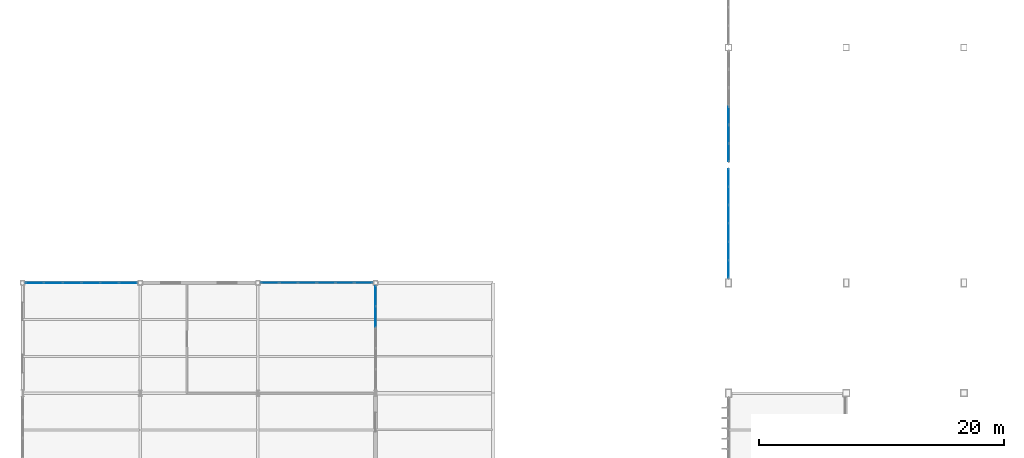
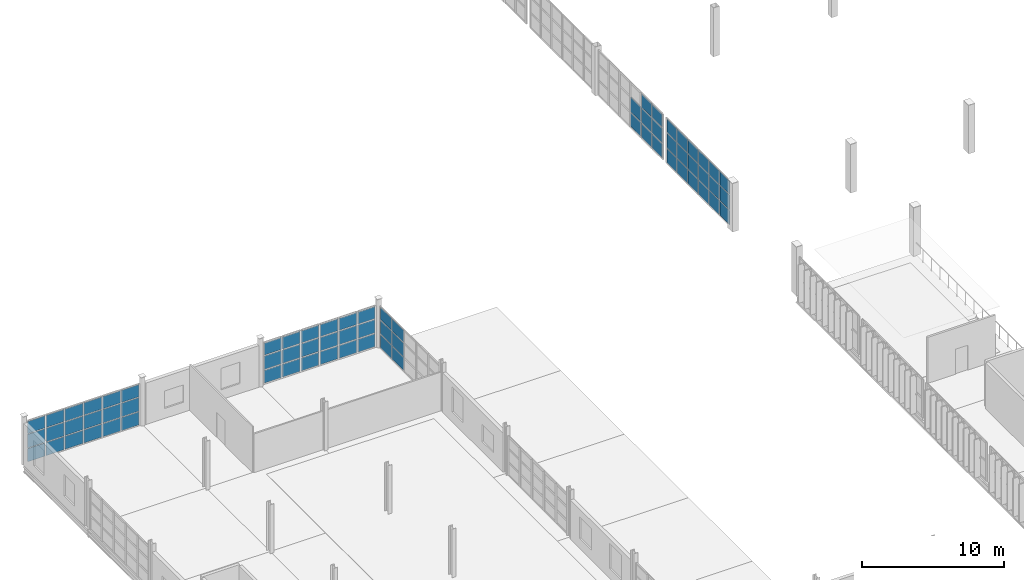
# One storey, part 54 of 82: 68 plates, 5 elements without a shape of their own.
"""IFC4 building model written with IfcOpenShell, lengths in metres."""

import ifcopenshell
import ifcopenshell.guid

model = None  # the IFC model being written
_history = None  # IfcOwnerHistory: only IFC2X3 demands one
_inside = {}  # id of a spatial element -> (the spatial element, [elements in it])
_under = {}  # id of a project, library or spatial element -> (it, [spatial elements below it])
_declared = {}  # id of a project -> (the project, [libraries it declares])
_typed = {}  # id of a type object -> (the type object, [elements of that type])
_made_of = {}  # id of a material, layer set ... -> (it, [elements and type objects made of it])


def new_model(schema):
    """Start an empty IFC model of exactly this schema.

    Asked for "IFC4X3", IfcOpenShell would pick the latest addendum, in which some entities
    have other attributes; the version numbers below select the first issue.
    IFC2X3 requires an IfcOwnerHistory on every rooted entity: one is made here for all.
    """
    global model, _history
    if schema == "IFC4X3":
        model = ifcopenshell.file(schema_version=(4, 3, 0, 0))
    else:
        model = ifcopenshell.file(schema=schema)
    _inside.clear()
    _under.clear()
    _declared.clear()
    _typed.clear()
    _made_of.clear()
    _history = None
    if model.schema == "IFC2X3":
        org = make("IfcOrganization", Name="unknown")
        user = make(
            "IfcPersonAndOrganization",
            ThePerson=make("IfcPerson", FamilyName="unknown"),
            TheOrganization=org,
        )
        app = make(
            "IfcApplication",
            ApplicationDeveloper=org,
            Version="unknown",
            ApplicationFullName="unknown",
            ApplicationIdentifier="unknown",
        )
        _history = make(
            "IfcOwnerHistory",
            OwningUser=user,
            OwningApplication=app,
            ChangeAction="ADDED",
            CreationDate=0,
        )
    return model


def make(cls, **values):
    """One entity of the class cls with the attributes given. An attribute that is None is left unset."""
    return model.create_entity(
        cls, **{name: value for name, value in values.items() if value is not None}
    )


def rooted(cls, **values):
    """An entity with a GlobalId (a new one), such as an element, a storey or a relation."""
    return make(cls, GlobalId=ifcopenshell.guid.new(), OwnerHistory=_history, **values)


def si_unit(unit_type, name, prefix=None):
    """IfcSIUnit, for example si_unit("LENGTHUNIT", "METRE", prefix="MILLI")."""
    return make("IfcSIUnit", UnitType=unit_type, Prefix=prefix, Name=name)


def assignment(units):
    """IfcUnitAssignment: the units of a project."""
    return None if units is None else make("IfcUnitAssignment", Units=units)


def point(xyz):
    """IfcCartesianPoint."""
    return None if xyz is None else make("IfcCartesianPoint", Coordinates=xyz)


def direction(xyz):
    """IfcDirection."""
    return None if xyz is None else make("IfcDirection", DirectionRatios=xyz)


def frame(location, z_axis=None, x_axis=None):
    """IfcAxis2Placement3D, a coordinate frame: its origin and axes. An axis left out is left unset."""
    return make(
        "IfcAxis2Placement3D",
        Location=point(location),
        Axis=direction(z_axis),
        RefDirection=direction(x_axis),
    )


def frame_2d(location, x_axis=None):
    """IfcAxis2Placement2D, a coordinate frame in the plane: its origin and x axis."""
    return make(
        "IfcAxis2Placement2D", Location=point(location), RefDirection=direction(x_axis)
    )


def origin():
    """The frame at (0, 0, 0) with its axes left unset."""
    return frame((0.0, 0.0, 0.0))


def origin_2d():
    """The frame at (0, 0) in the plane with its x axis left unset."""
    return frame_2d((0.0, 0.0))


def place(relative_to, where):
    """IfcLocalPlacement: puts the frame where relative to a parent placement (None: the world)."""
    return make(
        "IfcLocalPlacement", PlacementRelTo=relative_to, RelativePlacement=where
    )


def context(
    kind, dimensions, precision=None, world=None, true_north=None, identifier=None
):
    """IfcGeometricRepresentationContext, for example the 3D "Model" context."""
    return make(
        "IfcGeometricRepresentationContext",
        ContextIdentifier=identifier,
        ContextType=kind,
        CoordinateSpaceDimension=dimensions,
        Precision=precision,
        WorldCoordinateSystem=world,
        TrueNorth=true_north,
    )


def subcontext(parent, identifier, kind, view, scale=None):
    """IfcGeometricRepresentationSubContext, for example "Body" below "Model"."""
    return make(
        "IfcGeometricRepresentationSubContext",
        ContextIdentifier=identifier,
        ContextType=kind,
        ParentContext=parent,
        TargetScale=scale,
        TargetView=view,
    )


def project(units=None, contexts=None):
    """IfcProject with its units and contexts."""
    return rooted(
        "IfcProject",
        Name="project",
        RepresentationContexts=contexts,
        UnitsInContext=assignment(units),
    )


def spatial(cls, under=None, at=None, **own):
    """A site, building, storey or space (cls), placed at a placement, below another one or the project."""
    s = rooted(cls, ObjectPlacement=at, **own)
    if under is not None:
        _under.setdefault(under.id(), (under, []))[1].append(s)
    return s


def profile(cls, at=None, kind="AREA", **sizes):
    """A parametric profile (cls). Its sizes go by their IFC names, for example OverallWidth=200.0."""
    return make(cls, ProfileType=kind, Position=at, **sizes)


def rectangle(**sizes):
    """IfcRectangleProfileDef."""
    return profile("IfcRectangleProfileDef", **sizes)


def extrude(swept, where, along, depth):
    """IfcExtrudedAreaSolid: the profile swept, set in the frame where, extruded along a direction by depth."""
    return make(
        "IfcExtrudedAreaSolid",
        SweptArea=swept,
        Position=where,
        ExtrudedDirection=direction(along),
        Depth=depth,
    )


def shape(context_of_items, identifier, shape_type, items):
    """IfcShapeRepresentation: the items that make up one representation, for example the "Body"."""
    return make(
        "IfcShapeRepresentation",
        ContextOfItems=context_of_items,
        RepresentationIdentifier=identifier,
        RepresentationType=shape_type,
        Items=items,
    )


def material(Name=None, Category=None):
    """IfcMaterial."""
    return make("IfcMaterial", Name=Name, Category=Category)


def layer(
    of_material, thickness, ventilated=None, Name=None, Category=None, Priority=None
):
    """IfcMaterialLayer: one layer of a wall or slab, of a material (None: an air gap)."""
    return make(
        "IfcMaterialLayer",
        Material=of_material,
        LayerThickness=thickness,
        IsVentilated=ventilated,
        Name=Name,
        Category=Category,
        Priority=Priority,
    )


def layer_set(layers, Name=None):
    """IfcMaterialLayerSet."""
    return make("IfcMaterialLayerSet", MaterialLayers=layers, LayerSetName=Name)


def made_of(thing, what):
    """Note that an element or type object is made of a material, layer set ...; save() writes the relation."""
    if what is not None:
        _made_of.setdefault(what.id(), (what, []))[1].append(thing)
    return thing


def type_object(cls, material=None, **own):
    """A type object (cls), such as IfcWallType, which elements share."""
    return made_of(rooted(cls, **own), material)


def element(
    cls,
    number,
    at=None,
    inside=None,
    cuts=None,
    type_object=None,
    material=None,
    context=None,
    identifier="Body",
    shape_type=None,
    held_by="IfcProductDefinitionShape",
    body=None,
    shapes=None,
    **own,
):
    """One element of the class cls, such as IfcWall. Its Tag is "e" and its number.

    at: its placement. inside: the storey or other place that contains it. cuts: it is an
    opening in that element (IfcRelVoidsElement). A single representation is given by context,
    identifier, shape_type and body (its items); several are given by shapes. held_by: the class
    of the entity that holds the representations. save() writes the other relations.
    """
    e = rooted(cls, Tag="e%d" % number, ObjectPlacement=at, **own)
    if body is not None:
        shapes = [shape(context, identifier, shape_type, body)]
    if shapes is not None:
        e.Representation = make(held_by, Representations=shapes)
    if inside is not None:
        _inside.setdefault(inside.id(), (inside, []))[1].append(e)
    if cuts is not None:
        rooted(
            "IfcRelVoidsElement", RelatingBuildingElement=cuts, RelatedOpeningElement=e
        )
    if type_object is not None:
        _typed.setdefault(type_object.id(), (type_object, []))[1].append(e)
    return made_of(e, material)


def aggregate(whole, parts):
    """IfcRelAggregates: a whole, such as a stair, and the parts it consists of."""
    return rooted("IfcRelAggregates", RelatingObject=whole, RelatedObjects=parts)


def save(model, path):
    """Write the relations noted so far, then the file.

    IfcRelAggregates (storeys below a building ...), IfcRelContainedInSpatialStructure (elements
    in a storey), IfcRelDefinesByType, IfcRelAssociatesMaterial and IfcRelDeclares: one each for
    every whole, place, type object, material and project.
    """
    for whole, parts in _under.values():
        aggregate(whole, parts)
    for where, things in _inside.values():
        rooted(
            "IfcRelContainedInSpatialStructure",
            RelatedElements=things,
            RelatingStructure=where,
        )
    for kind, things in _typed.values():
        rooted("IfcRelDefinesByType", RelatedObjects=things, RelatingType=kind)
    for what, things in _made_of.values():
        rooted("IfcRelAssociatesMaterial", RelatedObjects=things, RelatingMaterial=what)
    for by, libraries in _declared.values():
        rooted("IfcRelDeclares", RelatingContext=by, RelatedDefinitions=libraries)
    model.write(path)


model = new_model("IFC4")

# Units and contexts
model_context = context("Model", 3, precision=1e-05, world=origin(), true_north=direction((0.0, 1.0)))
body_context = subcontext(model_context, "Body", "Model", "MODEL_VIEW")
ifc_project = project(units=[si_unit("LENGTHUNIT", "METRE"), si_unit("AREAUNIT", "SQUARE_METRE"), si_unit("VOLUMEUNIT", "CUBIC_METRE"), si_unit("PLANEANGLEUNIT", "RADIAN"), si_unit("MASSUNIT", "GRAM", prefix="KILO")], contexts=[model_context])

# Site, building, storey
site_placement = place(None, origin())
site = spatial("IfcSite", under=ifc_project, at=site_placement, CompositionType="ELEMENT")
building_placement = place(site_placement, origin())
building = spatial("IfcBuilding", under=site, at=building_placement, Name="Zarnetskaya Central Station", CompositionType="ELEMENT")
storey_placement = place(building_placement, frame((0.0, 0.0, 10.199951171875)))
storey = spatial("IfcBuildingStorey", under=building, at=storey_placement, Name="L02", CompositionType="ELEMENT", Elevation=10.199951171875)

# Curtain wall, plates
ifc_material = material(Name="Low-E insulated glass", Category="glass")
ifc_layer_1 = layer(ifc_material, 0.159912109375, Name="Low-E insulated glass", Category="glass")
ifc_layer_set_1 = layer_set([ifc_layer_1], Name="Low-E insulated glass")
curtain_wall_type_1 = type_object("IfcCurtainWallType", Name="CW-SYS-06", PredefinedType="USERDEFINED", material=ifc_layer_set_1)
curtain_wall_1_placement = place(storey_placement, origin())
curtain_wall_1 = element("IfcCurtainWall", 1, at=curtain_wall_1_placement, inside=storey, type_object=curtain_wall_type_1, Name="Curtain wall CW-L02-020", ObjectType="CURTAIN WALL", PredefinedType="USERDEFINED")
ifc_layer_2 = layer(ifc_material, 0.028076171875, Name="Low-E insulated glass", Category="glass")
ifc_layer_set_2 = layer_set([ifc_layer_2], Name="Low-E insulated glass")
plate_type_1 = type_object("IfcPlateType", Name="CW-PAN-28", PredefinedType="CURTAIN_PANEL", material=ifc_layer_set_2)
plate_1_placement = place(storey_placement, frame((20.189453125, 67.199951171875, 0.080078125), z_axis=(0.0, 0.0, 1.0), x_axis=(1.0, 0.0, 0.0)))
plate_1 = element("IfcPlate", 2, at=plate_1_placement, type_object=plate_type_1, Name="CW-02 panel 1.1", PredefinedType="CURTAIN_PANEL", context=body_context, shape_type="SweptSolid", body=[
    extrude(rectangle(XDim=1.412353515625, YDim=0.028076171875, at=origin_2d()), origin(), (0.0, 0.0, 1.0), 1.10400390625),
])
plate_2_placement = place(storey_placement, frame((20.189453125, 67.199951171875, 1.263916015625), z_axis=(0.0, 0.0, 1.0), x_axis=(1.0, 0.0, 0.0)))
plate_2 = element("IfcPlate", 3, at=plate_2_placement, type_object=plate_type_1, Name="CW-02 panel 1.2", PredefinedType="CURTAIN_PANEL", context=body_context, shape_type="SweptSolid", body=[
    extrude(rectangle(XDim=1.412353515625, YDim=0.028076171875, at=origin_2d()), origin(), (0.0, 0.0, 1.0), 1.14404296875),
])
plate_3_placement = place(storey_placement, frame((20.189453125, 67.199951171875, 2.48828125), z_axis=(0.0, 0.0, 1.0), x_axis=(1.0, 0.0, 0.0)))
plate_3 = element("IfcPlate", 4, at=plate_3_placement, type_object=plate_type_1, Name="CW-02 panel 1.3", PredefinedType="CURTAIN_PANEL", context=body_context, shape_type="SweptSolid", body=[
    extrude(rectangle(XDim=1.412353515625, YDim=0.028076171875, at=origin_2d()), origin(), (0.0, 0.0, 1.0), 1.031982421875),
])
plate_4_placement = place(storey_placement, frame((21.70166015625, 67.199951171875, 0.080078125), z_axis=(0.0, 0.0, 1.0), x_axis=(1.0, 0.0, 0.0)))
plate_4 = element("IfcPlate", 5, at=plate_4_placement, type_object=plate_type_1, Name="CW-02 panel 2.1", PredefinedType="CURTAIN_PANEL", context=body_context, shape_type="SweptSolid", body=[
    extrude(rectangle(XDim=1.4521484375, YDim=0.028076171875, at=origin_2d()), origin(), (0.0, 0.0, 1.0), 1.10400390625),
])
plate_5_placement = place(storey_placement, frame((21.70166015625, 67.199951171875, 1.263916015625), z_axis=(0.0, 0.0, 1.0), x_axis=(1.0, 0.0, 0.0)))
plate_5 = element("IfcPlate", 6, at=plate_5_placement, type_object=plate_type_1, Name="CW-02 panel 2.2", PredefinedType="CURTAIN_PANEL", context=body_context, shape_type="SweptSolid", body=[
    extrude(rectangle(XDim=1.4521484375, YDim=0.028076171875, at=origin_2d()), origin(), (0.0, 0.0, 1.0), 1.14404296875),
])
plate_6_placement = place(storey_placement, frame((21.70166015625, 67.199951171875, 2.48828125), z_axis=(0.0, 0.0, 1.0), x_axis=(1.0, 0.0, 0.0)))
plate_6 = element("IfcPlate", 7, at=plate_6_placement, type_object=plate_type_1, Name="CW-02 panel 2.3", PredefinedType="CURTAIN_PANEL", context=body_context, shape_type="SweptSolid", body=[
    extrude(rectangle(XDim=1.4521484375, YDim=0.028076171875, at=origin_2d()), origin(), (0.0, 0.0, 1.0), 1.031982421875),
])
plate_7_placement = place(storey_placement, frame((23.23388671875, 67.199951171875, 0.080078125), z_axis=(0.0, 0.0, 1.0), x_axis=(1.0, 0.0, 0.0)))
plate_7 = element("IfcPlate", 8, at=plate_7_placement, type_object=plate_type_1, Name="CW-02 panel 3.1", PredefinedType="CURTAIN_PANEL", context=body_context, shape_type="SweptSolid", body=[
    extrude(rectangle(XDim=1.4521484375, YDim=0.028076171875, at=origin_2d()), origin(), (0.0, 0.0, 1.0), 1.10400390625),
])
plate_8_placement = place(storey_placement, frame((23.23388671875, 67.199951171875, 1.263916015625), z_axis=(0.0, 0.0, 1.0), x_axis=(1.0, 0.0, 0.0)))
plate_8 = element("IfcPlate", 9, at=plate_8_placement, type_object=plate_type_1, Name="CW-02 panel 3.2", PredefinedType="CURTAIN_PANEL", context=body_context, shape_type="SweptSolid", body=[
    extrude(rectangle(XDim=1.4521484375, YDim=0.028076171875, at=origin_2d()), origin(), (0.0, 0.0, 1.0), 1.14404296875),
])
plate_9_placement = place(storey_placement, frame((23.23388671875, 67.199951171875, 2.48828125), z_axis=(0.0, 0.0, 1.0), x_axis=(1.0, 0.0, 0.0)))
plate_9 = element("IfcPlate", 10, at=plate_9_placement, type_object=plate_type_1, Name="CW-02 panel 3.3", PredefinedType="CURTAIN_PANEL", context=body_context, shape_type="SweptSolid", body=[
    extrude(rectangle(XDim=1.4521484375, YDim=0.028076171875, at=origin_2d()), origin(), (0.0, 0.0, 1.0), 1.031982421875),
])
plate_10_placement = place(storey_placement, frame((24.76611328125, 67.199951171875, 0.080078125), z_axis=(0.0, 0.0, 1.0), x_axis=(1.0, 0.0, 0.0)))
plate_10 = element("IfcPlate", 11, at=plate_10_placement, type_object=plate_type_1, Name="CW-02 panel 4.1", PredefinedType="CURTAIN_PANEL", context=body_context, shape_type="SweptSolid", body=[
    extrude(rectangle(XDim=1.4521484375, YDim=0.028076171875, at=origin_2d()), origin(), (0.0, 0.0, 1.0), 1.10400390625),
])
plate_11_placement = place(storey_placement, frame((24.76611328125, 67.199951171875, 1.263916015625), z_axis=(0.0, 0.0, 1.0), x_axis=(1.0, 0.0, 0.0)))
plate_11 = element("IfcPlate", 12, at=plate_11_placement, type_object=plate_type_1, Name="CW-02 panel 4.2", PredefinedType="CURTAIN_PANEL", context=body_context, shape_type="SweptSolid", body=[
    extrude(rectangle(XDim=1.4521484375, YDim=0.028076171875, at=origin_2d()), origin(), (0.0, 0.0, 1.0), 1.14404296875),
])
plate_12_placement = place(storey_placement, frame((24.76611328125, 67.199951171875, 2.48828125), z_axis=(0.0, 0.0, 1.0), x_axis=(1.0, 0.0, 0.0)))
plate_12 = element("IfcPlate", 13, at=plate_12_placement, type_object=plate_type_1, Name="CW-02 panel 4.3", PredefinedType="CURTAIN_PANEL", context=body_context, shape_type="SweptSolid", body=[
    extrude(rectangle(XDim=1.4521484375, YDim=0.028076171875, at=origin_2d()), origin(), (0.0, 0.0, 1.0), 1.031982421875),
])
plate_13_placement = place(storey_placement, frame((26.29833984375, 67.199951171875, 0.080078125), z_axis=(0.0, 0.0, 1.0), x_axis=(1.0, 0.0, 0.0)))
plate_13 = element("IfcPlate", 14, at=plate_13_placement, type_object=plate_type_1, Name="CW-02 panel 5.1", PredefinedType="CURTAIN_PANEL", context=body_context, shape_type="SweptSolid", body=[
    extrude(rectangle(XDim=1.4521484375, YDim=0.028076171875, at=origin_2d()), origin(), (0.0, 0.0, 1.0), 1.10400390625),
])
plate_14_placement = place(storey_placement, frame((26.29833984375, 67.199951171875, 1.263916015625), z_axis=(0.0, 0.0, 1.0), x_axis=(1.0, 0.0, 0.0)))
plate_14 = element("IfcPlate", 15, at=plate_14_placement, type_object=plate_type_1, Name="CW-02 panel 5.2", PredefinedType="CURTAIN_PANEL", context=body_context, shape_type="SweptSolid", body=[
    extrude(rectangle(XDim=1.4521484375, YDim=0.028076171875, at=origin_2d()), origin(), (0.0, 0.0, 1.0), 1.14404296875),
])
plate_15_placement = place(storey_placement, frame((26.29833984375, 67.199951171875, 2.48828125), z_axis=(0.0, 0.0, 1.0), x_axis=(1.0, 0.0, 0.0)))
plate_15 = element("IfcPlate", 16, at=plate_15_placement, type_object=plate_type_1, Name="CW-02 panel 5.3", PredefinedType="CURTAIN_PANEL", context=body_context, shape_type="SweptSolid", body=[
    extrude(rectangle(XDim=1.4521484375, YDim=0.028076171875, at=origin_2d()), origin(), (0.0, 0.0, 1.0), 1.031982421875),
])
plate_16_placement = place(storey_placement, frame((27.810546875, 67.199951171875, 0.080078125), z_axis=(0.0, 0.0, 1.0), x_axis=(1.0, 0.0, 0.0)))
plate_16 = element("IfcPlate", 17, at=plate_16_placement, type_object=plate_type_1, Name="CW-02 panel 6.1", PredefinedType="CURTAIN_PANEL", context=body_context, shape_type="SweptSolid", body=[
    extrude(rectangle(XDim=1.412353515625, YDim=0.028076171875, at=origin_2d()), origin(), (0.0, 0.0, 1.0), 1.10400390625),
])
plate_17_placement = place(storey_placement, frame((27.810546875, 67.199951171875, 1.263916015625), z_axis=(0.0, 0.0, 1.0), x_axis=(1.0, 0.0, 0.0)))
plate_17 = element("IfcPlate", 18, at=plate_17_placement, type_object=plate_type_1, Name="CW-02 panel 6.2", PredefinedType="CURTAIN_PANEL", context=body_context, shape_type="SweptSolid", body=[
    extrude(rectangle(XDim=1.412353515625, YDim=0.028076171875, at=origin_2d()), origin(), (0.0, 0.0, 1.0), 1.14404296875),
])
plate_18_placement = place(storey_placement, frame((27.810546875, 67.199951171875, 2.48828125), z_axis=(0.0, 0.0, 1.0), x_axis=(1.0, 0.0, 0.0)))
plate_18 = element("IfcPlate", 19, at=plate_18_placement, type_object=plate_type_1, Name="CW-02 panel 6.3", PredefinedType="CURTAIN_PANEL", context=body_context, shape_type="SweptSolid", body=[
    extrude(rectangle(XDim=1.412353515625, YDim=0.028076171875, at=origin_2d()), origin(), (0.0, 0.0, 1.0), 1.031982421875),
])
aggregate(curtain_wall_1, [plate_1, plate_2, plate_3, plate_4, plate_5, plate_6, plate_7, plate_8, plate_9, plate_10, plate_11, plate_12, plate_13, plate_14, plate_15, plate_16, plate_17, plate_18])

ifc_layer_3 = layer(ifc_material, 0.172119140625, Name="Low-E insulated glass", Category="glass")
ifc_layer_set_3 = layer_set([ifc_layer_3], Name="Low-E insulated glass")
curtain_wall_type_2 = type_object("IfcCurtainWallType", Name="CW-SYS-04", PredefinedType="USERDEFINED", material=ifc_layer_set_3)
curtain_wall_2_placement = place(storey_placement, origin())
curtain_wall_2 = element("IfcCurtainWall", 20, at=curtain_wall_2_placement, inside=storey, type_object=curtain_wall_type_2, Name="Curtain wall CW-L02-021", ObjectType="CURTAIN WALL", PredefinedType="USERDEFINED")
ifc_layer_4 = layer(ifc_material, 0.031982421875, Name="Low-E insulated glass", Category="glass")
ifc_layer_set_4 = layer_set([ifc_layer_4], Name="Low-E insulated glass")
plate_type_2 = type_object("IfcPlateType", Name="CW-PAN-32", PredefinedType="CURTAIN_PANEL", material=ifc_layer_set_4)
plate_19_placement = place(storey_placement, frame((28.800048828125, 66.12451171875, 0.0703125), z_axis=(0.0, 0.0, 1.0), x_axis=(0.0, -1.0, 0.0)))
plate_19 = element("IfcPlate", 21, at=plate_19_placement, type_object=plate_type_2, Name="CW-15 panel 1.1", PredefinedType="CURTAIN_PANEL", context=body_context, shape_type="SweptSolid", body=[
    extrude(rectangle(XDim=1.604248046875, YDim=0.031982421875, at=origin_2d()), origin(), (0.0, 0.0, 1.0), 1.118896484375),
])
plate_20_placement = place(storey_placement, frame((28.800048828125, 66.12451171875, 1.2587890625), z_axis=(0.0, 0.0, 1.0), x_axis=(0.0, -1.0, 0.0)))
plate_20 = element("IfcPlate", 22, at=plate_20_placement, type_object=plate_type_2, Name="CW-15 panel 1.2", PredefinedType="CURTAIN_PANEL", context=body_context, shape_type="SweptSolid", body=[
    extrude(rectangle(XDim=1.604248046875, YDim=0.031982421875, at=origin_2d()), origin(), (0.0, 0.0, 1.0), 1.154052734375),
])
plate_21_placement = place(storey_placement, frame((28.800048828125, 66.12451171875, 2.48291015625), z_axis=(0.0, 0.0, 1.0), x_axis=(0.0, -1.0, 0.0)))
plate_21 = element("IfcPlate", 23, at=plate_21_placement, type_object=plate_type_2, Name="CW-15 panel 1.3", PredefinedType="CURTAIN_PANEL", context=body_context, shape_type="SweptSolid", body=[
    extrude(rectangle(XDim=1.604248046875, YDim=0.031982421875, at=origin_2d()), origin(), (0.0, 0.0, 1.0), 1.047119140625),
])
plate_22_placement = place(storey_placement, frame((28.800048828125, 64.432861328125, 0.0703125), z_axis=(0.0, 0.0, 1.0), x_axis=(0.0, -1.0, 0.0)))
plate_22 = element("IfcPlate", 24, at=plate_22_placement, type_object=plate_type_2, Name="CW-15 panel 2.1", PredefinedType="CURTAIN_PANEL", context=body_context, shape_type="SweptSolid", body=[
    extrude(rectangle(XDim=1.639404296875, YDim=0.031982421875, at=origin_2d()), origin(), (0.0, 0.0, 1.0), 1.118896484375),
])
plate_23_placement = place(storey_placement, frame((28.800048828125, 64.432861328125, 1.2587890625), z_axis=(0.0, 0.0, 1.0), x_axis=(0.0, -1.0, 0.0)))
plate_23 = element("IfcPlate", 25, at=plate_23_placement, type_object=plate_type_2, Name="CW-15 panel 2.2", PredefinedType="CURTAIN_PANEL", context=body_context, shape_type="SweptSolid", body=[
    extrude(rectangle(XDim=1.639404296875, YDim=0.031982421875, at=origin_2d()), origin(), (0.0, 0.0, 1.0), 1.154052734375),
])
plate_24_placement = place(storey_placement, frame((28.800048828125, 64.432861328125, 2.48291015625), z_axis=(0.0, 0.0, 1.0), x_axis=(0.0, -1.0, 0.0)))
plate_24 = element("IfcPlate", 26, at=plate_24_placement, type_object=plate_type_2, Name="CW-15 panel 2.3", PredefinedType="CURTAIN_PANEL", context=body_context, shape_type="SweptSolid", body=[
    extrude(rectangle(XDim=1.639404296875, YDim=0.031982421875, at=origin_2d()), origin(), (0.0, 0.0, 1.0), 1.047119140625),
])
aggregate(curtain_wall_2, [plate_19, plate_20, plate_21, plate_22, plate_23, plate_24])

ifc_layer_5 = layer(ifc_material, 0.1640625, Name="Low-E insulated glass", Category="glass")
ifc_layer_set_5 = layer_set([ifc_layer_5], Name="Low-E insulated glass")
curtain_wall_type_3 = type_object("IfcCurtainWallType", Name="CW-SYS-12", PredefinedType="USERDEFINED", material=ifc_layer_set_5)
curtain_wall_3_placement = place(storey_placement, origin())
curtain_wall_3 = element("IfcCurtainWall", 27, at=curtain_wall_3_placement, inside=storey, type_object=curtain_wall_type_3, Name="Curtain wall CW-L02-163", ObjectType="CURTAIN WALL", PredefinedType="USERDEFINED")
ifc_layer_6 = layer(ifc_material, 0.0400390625, Name="Low-E insulated glass", Category="glass")
ifc_layer_set_6 = layer_set([ifc_layer_6], Name="Low-E insulated glass")
plate_type_3 = type_object("IfcPlateType", Name="CW-PAN-40", PredefinedType="CURTAIN_PANEL", material=ifc_layer_set_6)
plate_25_placement = place(storey_placement, frame((57.60009765625, 68.3173828125, 0.0703125), z_axis=(0.0, 0.0, 1.0), x_axis=(0.0, 1.0, 0.0)))
plate_25 = element("IfcPlate", 28, at=plate_25_placement, type_object=plate_type_3, Name="CW-18 panel 1.1", PredefinedType="CURTAIN_PANEL", context=body_context, shape_type="SweptSolid", body=[
    extrude(rectangle(XDim=1.39501953125, YDim=0.0400390625, at=origin_2d()), origin(), (0.0, 0.0, 1.0), 1.220947265625),
])
plate_26_placement = place(storey_placement, frame((57.60009765625, 68.3173828125, 1.36083984375), z_axis=(0.0, 0.0, 1.0), x_axis=(0.0, 1.0, 0.0)))
plate_26 = element("IfcPlate", 29, at=plate_26_placement, type_object=plate_type_3, Name="CW-18 panel 1.2", PredefinedType="CURTAIN_PANEL", context=body_context, shape_type="SweptSolid", body=[
    extrude(rectangle(XDim=1.39501953125, YDim=0.0400390625, at=origin_2d()), origin(), (0.0, 0.0, 1.0), 1.256103515625),
])
plate_27_placement = place(storey_placement, frame((57.60009765625, 68.3173828125, 2.68701171875), z_axis=(0.0, 0.0, 1.0), x_axis=(0.0, 1.0, 0.0)))
plate_27 = element("IfcPlate", 30, at=plate_27_placement, type_object=plate_type_3, Name="CW-18 panel 1.3", PredefinedType="CURTAIN_PANEL", context=body_context, shape_type="SweptSolid", body=[
    extrude(rectangle(XDim=1.39501953125, YDim=0.0400390625, at=origin_2d()), origin(), (0.0, 0.0, 1.0), 1.14306640625),
])
plate_28_placement = place(storey_placement, frame((57.60009765625, 69.800048828125, 0.0703125), z_axis=(0.0, 0.0, 1.0), x_axis=(0.0, 1.0, 0.0)))
plate_28 = element("IfcPlate", 31, at=plate_28_placement, type_object=plate_type_3, Name="CW-18 panel 2.1", PredefinedType="CURTAIN_PANEL", context=body_context, shape_type="SweptSolid", body=[
    extrude(rectangle(XDim=1.429931640625, YDim=0.0400390625, at=origin_2d()), origin(), (0.0, 0.0, 1.0), 1.220947265625),
])
plate_29_placement = place(storey_placement, frame((57.60009765625, 69.800048828125, 1.36083984375), z_axis=(0.0, 0.0, 1.0), x_axis=(0.0, 1.0, 0.0)))
plate_29 = element("IfcPlate", 32, at=plate_29_placement, type_object=plate_type_3, Name="CW-18 panel 2.2", PredefinedType="CURTAIN_PANEL", context=body_context, shape_type="SweptSolid", body=[
    extrude(rectangle(XDim=1.429931640625, YDim=0.0400390625, at=origin_2d()), origin(), (0.0, 0.0, 1.0), 1.256103515625),
])
plate_30_placement = place(storey_placement, frame((57.60009765625, 69.800048828125, 2.68701171875), z_axis=(0.0, 0.0, 1.0), x_axis=(0.0, 1.0, 0.0)))
plate_30 = element("IfcPlate", 33, at=plate_30_placement, type_object=plate_type_3, Name="CW-18 panel 2.3", PredefinedType="CURTAIN_PANEL", context=body_context, shape_type="SweptSolid", body=[
    extrude(rectangle(XDim=1.429931640625, YDim=0.0400390625, at=origin_2d()), origin(), (0.0, 0.0, 1.0), 1.14306640625),
])
plate_31_placement = place(storey_placement, frame((57.60009765625, 71.300048828125, 0.0703125), z_axis=(0.0, 0.0, 1.0), x_axis=(0.0, 1.0, 0.0)))
plate_31 = element("IfcPlate", 34, at=plate_31_placement, type_object=plate_type_3, Name="CW-18 panel 3.1", PredefinedType="CURTAIN_PANEL", context=body_context, shape_type="SweptSolid", body=[
    extrude(rectangle(XDim=1.429931640625, YDim=0.0400390625, at=origin_2d()), origin(), (0.0, 0.0, 1.0), 1.220947265625),
])
plate_32_placement = place(storey_placement, frame((57.60009765625, 71.300048828125, 1.36083984375), z_axis=(0.0, 0.0, 1.0), x_axis=(0.0, 1.0, 0.0)))
plate_32 = element("IfcPlate", 35, at=plate_32_placement, type_object=plate_type_3, Name="CW-18 panel 3.2", PredefinedType="CURTAIN_PANEL", context=body_context, shape_type="SweptSolid", body=[
    extrude(rectangle(XDim=1.429931640625, YDim=0.0400390625, at=origin_2d()), origin(), (0.0, 0.0, 1.0), 1.256103515625),
])
plate_33_placement = place(storey_placement, frame((57.60009765625, 71.300048828125, 2.68701171875), z_axis=(0.0, 0.0, 1.0), x_axis=(0.0, 1.0, 0.0)))
plate_33 = element("IfcPlate", 36, at=plate_33_placement, type_object=plate_type_3, Name="CW-18 panel 3.3", PredefinedType="CURTAIN_PANEL", context=body_context, shape_type="SweptSolid", body=[
    extrude(rectangle(XDim=1.429931640625, YDim=0.0400390625, at=origin_2d()), origin(), (0.0, 0.0, 1.0), 1.14306640625),
])
plate_34_placement = place(storey_placement, frame((57.60009765625, 72.800048828125, 0.0703125), z_axis=(0.0, 0.0, 1.0), x_axis=(0.0, 1.0, 0.0)))
plate_34 = element("IfcPlate", 37, at=plate_34_placement, type_object=plate_type_3, Name="CW-18 panel 4.1", PredefinedType="CURTAIN_PANEL", context=body_context, shape_type="SweptSolid", body=[
    extrude(rectangle(XDim=1.429931640625, YDim=0.0400390625, at=origin_2d()), origin(), (0.0, 0.0, 1.0), 1.220947265625),
])
plate_35_placement = place(storey_placement, frame((57.60009765625, 72.800048828125, 1.36083984375), z_axis=(0.0, 0.0, 1.0), x_axis=(0.0, 1.0, 0.0)))
plate_35 = element("IfcPlate", 38, at=plate_35_placement, type_object=plate_type_3, Name="CW-18 panel 4.2", PredefinedType="CURTAIN_PANEL", context=body_context, shape_type="SweptSolid", body=[
    extrude(rectangle(XDim=1.429931640625, YDim=0.0400390625, at=origin_2d()), origin(), (0.0, 0.0, 1.0), 1.256103515625),
])
plate_36_placement = place(storey_placement, frame((57.60009765625, 72.800048828125, 2.68701171875), z_axis=(0.0, 0.0, 1.0), x_axis=(0.0, 1.0, 0.0)))
plate_36 = element("IfcPlate", 39, at=plate_36_placement, type_object=plate_type_3, Name="CW-18 panel 4.3", PredefinedType="CURTAIN_PANEL", context=body_context, shape_type="SweptSolid", body=[
    extrude(rectangle(XDim=1.429931640625, YDim=0.0400390625, at=origin_2d()), origin(), (0.0, 0.0, 1.0), 1.14306640625),
])
plate_37_placement = place(storey_placement, frame((57.60009765625, 74.300048828125, 0.0703125), z_axis=(0.0, 0.0, 1.0), x_axis=(0.0, 1.0, 0.0)))
plate_37 = element("IfcPlate", 40, at=plate_37_placement, type_object=plate_type_3, Name="CW-18 panel 5.1", PredefinedType="CURTAIN_PANEL", context=body_context, shape_type="SweptSolid", body=[
    extrude(rectangle(XDim=1.429931640625, YDim=0.0400390625, at=origin_2d()), origin(), (0.0, 0.0, 1.0), 1.220947265625),
])
plate_38_placement = place(storey_placement, frame((57.60009765625, 74.300048828125, 1.36083984375), z_axis=(0.0, 0.0, 1.0), x_axis=(0.0, 1.0, 0.0)))
plate_38 = element("IfcPlate", 41, at=plate_38_placement, type_object=plate_type_3, Name="CW-18 panel 5.2", PredefinedType="CURTAIN_PANEL", context=body_context, shape_type="SweptSolid", body=[
    extrude(rectangle(XDim=1.429931640625, YDim=0.0400390625, at=origin_2d()), origin(), (0.0, 0.0, 1.0), 1.256103515625),
])
plate_39_placement = place(storey_placement, frame((57.60009765625, 74.300048828125, 2.68701171875), z_axis=(0.0, 0.0, 1.0), x_axis=(0.0, 1.0, 0.0)))
plate_39 = element("IfcPlate", 42, at=plate_39_placement, type_object=plate_type_3, Name="CW-18 panel 5.3", PredefinedType="CURTAIN_PANEL", context=body_context, shape_type="SweptSolid", body=[
    extrude(rectangle(XDim=1.429931640625, YDim=0.0400390625, at=origin_2d()), origin(), (0.0, 0.0, 1.0), 1.14306640625),
])
plate_40_placement = place(storey_placement, frame((57.60009765625, 75.782470703125, 0.0703125), z_axis=(0.0, 0.0, 1.0), x_axis=(0.0, 1.0, 0.0)))
plate_40 = element("IfcPlate", 43, at=plate_40_placement, type_object=plate_type_3, Name="CW-18 panel 6.1", PredefinedType="CURTAIN_PANEL", context=body_context, shape_type="SweptSolid", body=[
    extrude(rectangle(XDim=1.39501953125, YDim=0.0400390625, at=origin_2d()), origin(), (0.0, 0.0, 1.0), 1.220947265625),
])
plate_41_placement = place(storey_placement, frame((57.60009765625, 75.782470703125, 1.36083984375), z_axis=(0.0, 0.0, 1.0), x_axis=(0.0, 1.0, 0.0)))
plate_41 = element("IfcPlate", 44, at=plate_41_placement, type_object=plate_type_3, Name="CW-18 panel 6.2", PredefinedType="CURTAIN_PANEL", context=body_context, shape_type="SweptSolid", body=[
    extrude(rectangle(XDim=1.39501953125, YDim=0.0400390625, at=origin_2d()), origin(), (0.0, 0.0, 1.0), 1.256103515625),
])
plate_42_placement = place(storey_placement, frame((57.60009765625, 75.782470703125, 2.68701171875), z_axis=(0.0, 0.0, 1.0), x_axis=(0.0, 1.0, 0.0)))
plate_42 = element("IfcPlate", 45, at=plate_42_placement, type_object=plate_type_3, Name="CW-18 panel 6.3", PredefinedType="CURTAIN_PANEL", context=body_context, shape_type="SweptSolid", body=[
    extrude(rectangle(XDim=1.39501953125, YDim=0.0400390625, at=origin_2d()), origin(), (0.0, 0.0, 1.0), 1.14306640625),
])
aggregate(curtain_wall_3, [plate_25, plate_26, plate_27, plate_28, plate_29, plate_30, plate_31, plate_32, plate_33, plate_34, plate_35, plate_36, plate_37, plate_38, plate_39, plate_40, plate_41, plate_42])

curtain_wall_4_placement = place(storey_placement, origin())
curtain_wall_4 = element("IfcCurtainWall", 46, at=curtain_wall_4_placement, inside=storey, type_object=curtain_wall_type_2, Name="Curtain wall CW-L02-019", ObjectType="CURTAIN WALL", PredefinedType="USERDEFINED")
ifc_layer_7 = layer(ifc_material, 0.0439453125, Name="Low-E insulated glass", Category="glass")
ifc_layer_set_7 = layer_set([ifc_layer_7], Name="Low-E insulated glass")
plate_type_4 = type_object("IfcPlateType", Name="CW-PAN-44", PredefinedType="CURTAIN_PANEL", material=ifc_layer_set_7)
plate_43_placement = place(storey_placement, frame((0.98681640625, 67.199951171875, 0.0703125), z_axis=(0.0, 0.0, 1.0), x_axis=(1.0, 0.0, 0.0)))
plate_43 = element("IfcPlate", 47, at=plate_43_placement, type_object=plate_type_4, Name="CW-15 panel 1.1", PredefinedType="CURTAIN_PANEL", context=body_context, shape_type="SweptSolid", body=[
    extrude(rectangle(XDim=1.42724609375, YDim=0.0439453125, at=origin_2d()), origin(), (0.0, 0.0, 1.0), 1.118896484375),
])
plate_44_placement = place(storey_placement, frame((0.98681640625, 67.199951171875, 1.2587890625), z_axis=(0.0, 0.0, 1.0), x_axis=(1.0, 0.0, 0.0)))
plate_44 = element("IfcPlate", 48, at=plate_44_placement, type_object=plate_type_4, Name="CW-15 panel 1.2", PredefinedType="CURTAIN_PANEL", context=body_context, shape_type="SweptSolid", body=[
    extrude(rectangle(XDim=1.42724609375, YDim=0.0439453125, at=origin_2d()), origin(), (0.0, 0.0, 1.0), 1.154052734375),
])
plate_45_placement = place(storey_placement, frame((0.98681640625, 67.199951171875, 2.48291015625), z_axis=(0.0, 0.0, 1.0), x_axis=(1.0, 0.0, 0.0)))
plate_45 = element("IfcPlate", 49, at=plate_45_placement, type_object=plate_type_4, Name="CW-15 panel 1.3", PredefinedType="CURTAIN_PANEL", context=body_context, shape_type="SweptSolid", body=[
    extrude(rectangle(XDim=1.42724609375, YDim=0.0439453125, at=origin_2d()), origin(), (0.0, 0.0, 1.0), 1.047119140625),
])
plate_46_placement = place(storey_placement, frame((2.501708984375, 67.199951171875, 0.0703125), z_axis=(0.0, 0.0, 1.0), x_axis=(1.0, 0.0, 0.0)))
plate_46 = element("IfcPlate", 50, at=plate_46_placement, type_object=plate_type_4, Name="CW-15 panel 2.1", PredefinedType="CURTAIN_PANEL", context=body_context, shape_type="SweptSolid", body=[
    extrude(rectangle(XDim=1.462158203125, YDim=0.0439453125, at=origin_2d()), origin(), (0.0, 0.0, 1.0), 1.118896484375),
])
plate_47_placement = place(storey_placement, frame((2.501708984375, 67.199951171875, 1.2587890625), z_axis=(0.0, 0.0, 1.0), x_axis=(1.0, 0.0, 0.0)))
plate_47 = element("IfcPlate", 51, at=plate_47_placement, type_object=plate_type_4, Name="CW-15 panel 2.2", PredefinedType="CURTAIN_PANEL", context=body_context, shape_type="SweptSolid", body=[
    extrude(rectangle(XDim=1.462158203125, YDim=0.0439453125, at=origin_2d()), origin(), (0.0, 0.0, 1.0), 1.154052734375),
])
plate_48_placement = place(storey_placement, frame((2.501708984375, 67.199951171875, 2.48291015625), z_axis=(0.0, 0.0, 1.0), x_axis=(1.0, 0.0, 0.0)))
plate_48 = element("IfcPlate", 52, at=plate_48_placement, type_object=plate_type_4, Name="CW-15 panel 2.3", PredefinedType="CURTAIN_PANEL", context=body_context, shape_type="SweptSolid", body=[
    extrude(rectangle(XDim=1.462158203125, YDim=0.0439453125, at=origin_2d()), origin(), (0.0, 0.0, 1.0), 1.047119140625),
])
plate_49_placement = place(storey_placement, frame((4.033935546875, 67.199951171875, 0.0703125), z_axis=(0.0, 0.0, 1.0), x_axis=(1.0, 0.0, 0.0)))
plate_49 = element("IfcPlate", 53, at=plate_49_placement, type_object=plate_type_4, Name="CW-15 panel 3.1", PredefinedType="CURTAIN_PANEL", context=body_context, shape_type="SweptSolid", body=[
    extrude(rectangle(XDim=1.462158203125, YDim=0.0439453125, at=origin_2d()), origin(), (0.0, 0.0, 1.0), 1.118896484375),
])
plate_50_placement = place(storey_placement, frame((4.033935546875, 67.199951171875, 1.2587890625), z_axis=(0.0, 0.0, 1.0), x_axis=(1.0, 0.0, 0.0)))
plate_50 = element("IfcPlate", 54, at=plate_50_placement, type_object=plate_type_4, Name="CW-15 panel 3.2", PredefinedType="CURTAIN_PANEL", context=body_context, shape_type="SweptSolid", body=[
    extrude(rectangle(XDim=1.462158203125, YDim=0.0439453125, at=origin_2d()), origin(), (0.0, 0.0, 1.0), 1.154052734375),
])
plate_51_placement = place(storey_placement, frame((4.033935546875, 67.199951171875, 2.48291015625), z_axis=(0.0, 0.0, 1.0), x_axis=(1.0, 0.0, 0.0)))
plate_51 = element("IfcPlate", 55, at=plate_51_placement, type_object=plate_type_4, Name="CW-15 panel 3.3", PredefinedType="CURTAIN_PANEL", context=body_context, shape_type="SweptSolid", body=[
    extrude(rectangle(XDim=1.462158203125, YDim=0.0439453125, at=origin_2d()), origin(), (0.0, 0.0, 1.0), 1.047119140625),
])
plate_52_placement = place(storey_placement, frame((5.566162109375, 67.199951171875, 0.0703125), z_axis=(0.0, 0.0, 1.0), x_axis=(1.0, 0.0, 0.0)))
plate_52 = element("IfcPlate", 56, at=plate_52_placement, type_object=plate_type_4, Name="CW-15 panel 4.1", PredefinedType="CURTAIN_PANEL", context=body_context, shape_type="SweptSolid", body=[
    extrude(rectangle(XDim=1.462158203125, YDim=0.0439453125, at=origin_2d()), origin(), (0.0, 0.0, 1.0), 1.118896484375),
])
plate_53_placement = place(storey_placement, frame((5.566162109375, 67.199951171875, 1.2587890625), z_axis=(0.0, 0.0, 1.0), x_axis=(1.0, 0.0, 0.0)))
plate_53 = element("IfcPlate", 57, at=plate_53_placement, type_object=plate_type_4, Name="CW-15 panel 4.2", PredefinedType="CURTAIN_PANEL", context=body_context, shape_type="SweptSolid", body=[
    extrude(rectangle(XDim=1.462158203125, YDim=0.0439453125, at=origin_2d()), origin(), (0.0, 0.0, 1.0), 1.154052734375),
])
plate_54_placement = place(storey_placement, frame((5.566162109375, 67.199951171875, 2.48291015625), z_axis=(0.0, 0.0, 1.0), x_axis=(1.0, 0.0, 0.0)))
plate_54 = element("IfcPlate", 58, at=plate_54_placement, type_object=plate_type_4, Name="CW-15 panel 4.3", PredefinedType="CURTAIN_PANEL", context=body_context, shape_type="SweptSolid", body=[
    extrude(rectangle(XDim=1.462158203125, YDim=0.0439453125, at=origin_2d()), origin(), (0.0, 0.0, 1.0), 1.047119140625),
])
plate_55_placement = place(storey_placement, frame((7.098388671875, 67.199951171875, 0.0703125), z_axis=(0.0, 0.0, 1.0), x_axis=(1.0, 0.0, 0.0)))
plate_55 = element("IfcPlate", 59, at=plate_55_placement, type_object=plate_type_4, Name="CW-15 panel 5.1", PredefinedType="CURTAIN_PANEL", context=body_context, shape_type="SweptSolid", body=[
    extrude(rectangle(XDim=1.462158203125, YDim=0.0439453125, at=origin_2d()), origin(), (0.0, 0.0, 1.0), 1.118896484375),
])
plate_56_placement = place(storey_placement, frame((7.098388671875, 67.199951171875, 1.2587890625), z_axis=(0.0, 0.0, 1.0), x_axis=(1.0, 0.0, 0.0)))
plate_56 = element("IfcPlate", 60, at=plate_56_placement, type_object=plate_type_4, Name="CW-15 panel 5.2", PredefinedType="CURTAIN_PANEL", context=body_context, shape_type="SweptSolid", body=[
    extrude(rectangle(XDim=1.462158203125, YDim=0.0439453125, at=origin_2d()), origin(), (0.0, 0.0, 1.0), 1.154052734375),
])
plate_57_placement = place(storey_placement, frame((7.098388671875, 67.199951171875, 2.48291015625), z_axis=(0.0, 0.0, 1.0), x_axis=(1.0, 0.0, 0.0)))
plate_57 = element("IfcPlate", 61, at=plate_57_placement, type_object=plate_type_4, Name="CW-15 panel 5.3", PredefinedType="CURTAIN_PANEL", context=body_context, shape_type="SweptSolid", body=[
    extrude(rectangle(XDim=1.462158203125, YDim=0.0439453125, at=origin_2d()), origin(), (0.0, 0.0, 1.0), 1.047119140625),
])
plate_58_placement = place(storey_placement, frame((8.61328125, 67.199951171875, 0.0703125), z_axis=(0.0, 0.0, 1.0), x_axis=(1.0, 0.0, 0.0)))
plate_58 = element("IfcPlate", 62, at=plate_58_placement, type_object=plate_type_4, Name="CW-15 panel 6.1", PredefinedType="CURTAIN_PANEL", context=body_context, shape_type="SweptSolid", body=[
    extrude(rectangle(XDim=1.42724609375, YDim=0.0439453125, at=origin_2d()), origin(), (0.0, 0.0, 1.0), 1.118896484375),
])
plate_59_placement = place(storey_placement, frame((8.61328125, 67.199951171875, 1.2587890625), z_axis=(0.0, 0.0, 1.0), x_axis=(1.0, 0.0, 0.0)))
plate_59 = element("IfcPlate", 63, at=plate_59_placement, type_object=plate_type_4, Name="CW-15 panel 6.2", PredefinedType="CURTAIN_PANEL", context=body_context, shape_type="SweptSolid", body=[
    extrude(rectangle(XDim=1.42724609375, YDim=0.0439453125, at=origin_2d()), origin(), (0.0, 0.0, 1.0), 1.154052734375),
])
plate_60_placement = place(storey_placement, frame((8.61328125, 67.199951171875, 2.48291015625), z_axis=(0.0, 0.0, 1.0), x_axis=(1.0, 0.0, 0.0)))
plate_60 = element("IfcPlate", 64, at=plate_60_placement, type_object=plate_type_4, Name="CW-15 panel 6.3", PredefinedType="CURTAIN_PANEL", context=body_context, shape_type="SweptSolid", body=[
    extrude(rectangle(XDim=1.42724609375, YDim=0.0439453125, at=origin_2d()), origin(), (0.0, 0.0, 1.0), 1.047119140625),
])
aggregate(curtain_wall_4, [plate_43, plate_44, plate_45, plate_46, plate_47, plate_48, plate_49, plate_50, plate_51, plate_52, plate_53, plate_54, plate_55, plate_56, plate_57, plate_58, plate_59, plate_60])

curtain_wall_5_placement = place(storey_placement, origin())
curtain_wall_5 = element("IfcCurtainWall", 65, at=curtain_wall_5_placement, inside=storey, type_object=curtain_wall_type_3, Name="Curtain wall CW-L02-164", ObjectType="CURTAIN WALL", PredefinedType="USERDEFINED")
plate_61_placement = place(storey_placement, frame((57.60009765625, 77.828369140625, 0.080078125), z_axis=(0.0, 0.0, 1.0), x_axis=(0.0, 1.0, 0.0)))
plate_61 = element("IfcPlate", 66, at=plate_61_placement, type_object=plate_type_4, Name="CW-18 panel 1.1", PredefinedType="CURTAIN_PANEL", context=body_context, shape_type="SweptSolid", body=[
    extrude(rectangle(XDim=1.396728515625, YDim=0.0439453125, at=origin_2d()), origin(), (0.0, 0.0, 1.0), 1.2060546875),
])
plate_62_placement = place(storey_placement, frame((57.60009765625, 77.828369140625, 1.365966796875), z_axis=(0.0, 0.0, 1.0), x_axis=(0.0, 1.0, 0.0)))
plate_62 = element("IfcPlate", 67, at=plate_62_placement, type_object=plate_type_4, Name="CW-18 panel 1.2", PredefinedType="CURTAIN_PANEL", context=body_context, shape_type="SweptSolid", body=[
    extrude(rectangle(XDim=1.396728515625, YDim=0.0439453125, at=origin_2d()), origin(), (0.0, 0.0, 1.0), 1.24609375),
])
plate_63_placement = place(storey_placement, frame((57.60009765625, 77.828369140625, 2.692138671875), z_axis=(0.0, 0.0, 1.0), x_axis=(0.0, 1.0, 0.0)))
plate_63 = element("IfcPlate", 68, at=plate_63_placement, type_object=plate_type_4, Name="CW-18 panel 1.3", PredefinedType="CURTAIN_PANEL", context=body_context, shape_type="SweptSolid", body=[
    extrude(rectangle(XDim=1.396728515625, YDim=0.0439453125, at=origin_2d()), origin(), (0.0, 0.0, 1.0), 1.1279296875),
])
plate_64_placement = place(storey_placement, frame((57.60009765625, 79.324951171875, 0.080078125), z_axis=(0.0, 0.0, 1.0), x_axis=(0.0, 1.0, 0.0)))
plate_64 = element("IfcPlate", 69, at=plate_64_placement, type_object=plate_type_4, Name="CW-18 panel 2.1", PredefinedType="CURTAIN_PANEL", context=body_context, shape_type="SweptSolid", body=[
    extrude(rectangle(XDim=1.436767578125, YDim=0.0439453125, at=origin_2d()), origin(), (0.0, 0.0, 1.0), 1.2060546875),
])
plate_65_placement = place(storey_placement, frame((57.60009765625, 79.324951171875, 1.365966796875), z_axis=(0.0, 0.0, 1.0), x_axis=(0.0, 1.0, 0.0)))
plate_65 = element("IfcPlate", 70, at=plate_65_placement, type_object=plate_type_4, Name="CW-18 panel 2.2", PredefinedType="CURTAIN_PANEL", context=body_context, shape_type="SweptSolid", body=[
    extrude(rectangle(XDim=1.436767578125, YDim=0.0439453125, at=origin_2d()), origin(), (0.0, 0.0, 1.0), 1.24609375),
])
plate_66_placement = place(storey_placement, frame((57.60009765625, 79.324951171875, 2.692138671875), z_axis=(0.0, 0.0, 1.0), x_axis=(0.0, 1.0, 0.0)))
plate_66 = element("IfcPlate", 71, at=plate_66_placement, type_object=plate_type_4, Name="CW-18 panel 2.3", PredefinedType="CURTAIN_PANEL", context=body_context, shape_type="SweptSolid", body=[
    extrude(rectangle(XDim=1.436767578125, YDim=0.0439453125, at=origin_2d()), origin(), (0.0, 0.0, 1.0), 1.1279296875),
])
plate_67_placement = place(storey_placement, frame((57.60009765625, 80.841552734375, 0.080078125), z_axis=(0.0, 0.0, 1.0), x_axis=(0.0, 1.0, 0.0)))
plate_67 = element("IfcPlate", 72, at=plate_67_placement, type_object=plate_type_4, Name="CW-18 panel 3.1", PredefinedType="CURTAIN_PANEL", context=body_context, shape_type="SweptSolid", body=[
    extrude(rectangle(XDim=1.436767578125, YDim=0.0439453125, at=origin_2d()), origin(), (0.0, 0.0, 1.0), 1.2060546875),
])
plate_68_placement = place(storey_placement, frame((57.60009765625, 80.841552734375, 1.365966796875), z_axis=(0.0, 0.0, 1.0), x_axis=(0.0, 1.0, 0.0)))
plate_68 = element("IfcPlate", 73, at=plate_68_placement, type_object=plate_type_4, Name="CW-18 panel 3.2", PredefinedType="CURTAIN_PANEL", context=body_context, shape_type="SweptSolid", body=[
    extrude(rectangle(XDim=1.436767578125, YDim=0.0439453125, at=origin_2d()), origin(), (0.0, 0.0, 1.0), 1.24609375),
])
aggregate(curtain_wall_5, [plate_61, plate_62, plate_63, plate_64, plate_65, plate_66, plate_67, plate_68])

save(model, "model.ifc")
